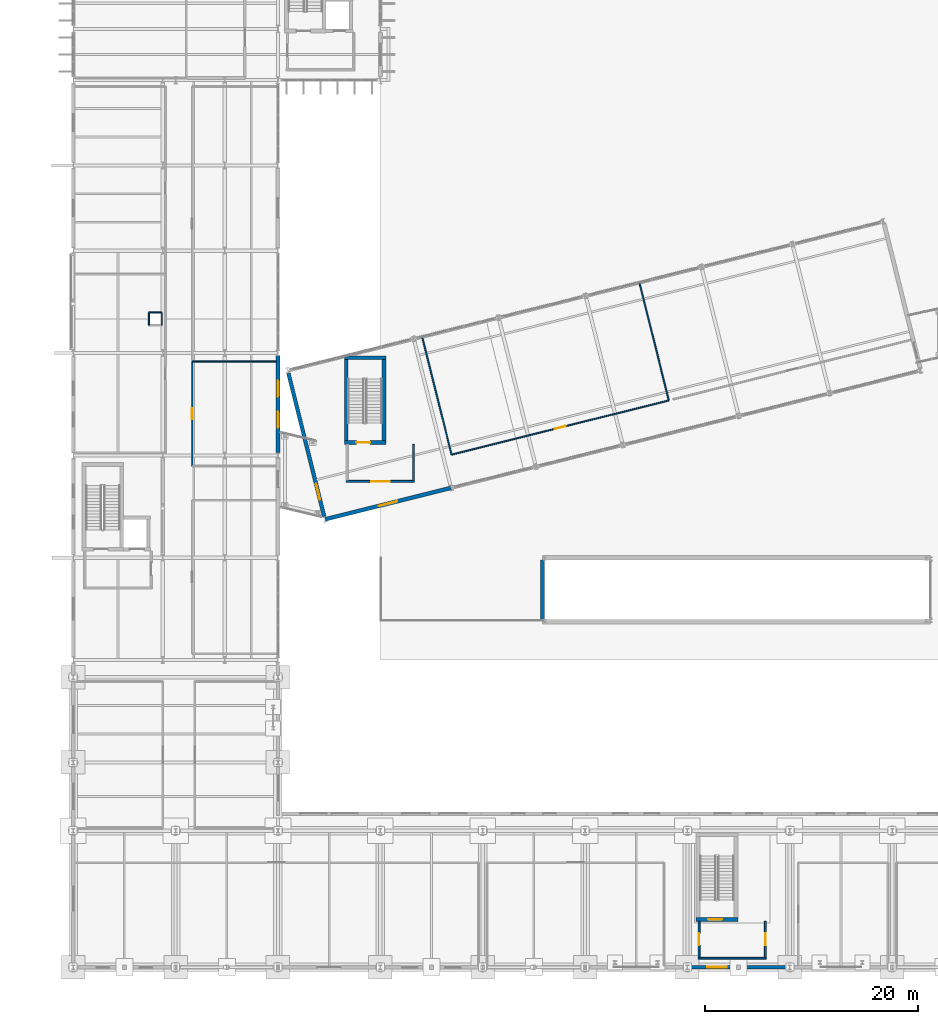
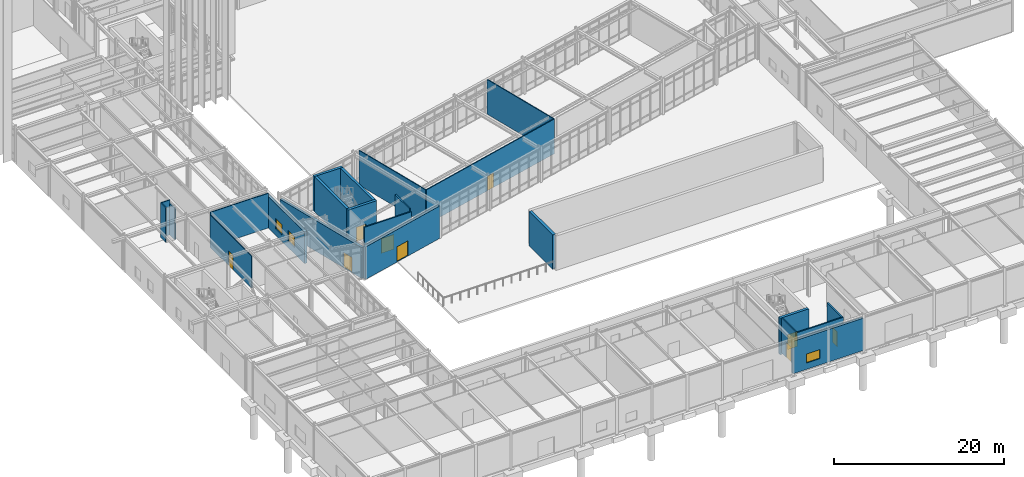
# One storey, part 86 of 109: 23 walls, 9 doors, 3 windows, 12 openings.
"""IFC4 building model written with IfcOpenShell, lengths in metres."""

from ifc_helpers import new_model, si_unit, direction, frame, frame_2d, origin, place, context, subcontext, project, spatial, rectangle, extrude, material, layer, layer_set, type_object, element, fill, save


model = new_model("IFC4")

# Units and contexts
model_context = context("Model", 3, precision=1e-05, world=origin(), true_north=direction((0.0, 1.0)))
body_context = subcontext(model_context, "Body", "Model", "MODEL_VIEW")
ifc_project = project(units=[si_unit("LENGTHUNIT", "METRE"), si_unit("AREAUNIT", "SQUARE_METRE"), si_unit("VOLUMEUNIT", "CUBIC_METRE"), si_unit("PLANEANGLEUNIT", "RADIAN"), si_unit("MASSUNIT", "GRAM", prefix="KILO")], contexts=[model_context])

# Site, building, storey
site_placement = place(None, origin())
site = spatial("IfcSite", under=ifc_project, at=site_placement, CompositionType="ELEMENT")
building_placement = place(site_placement, origin())
building = spatial("IfcBuilding", under=site, at=building_placement, Name="Nordkorset Police Headquarters", CompositionType="ELEMENT")
storey_placement = place(building_placement, origin())
storey = spatial("IfcBuildingStorey", under=building, at=storey_placement, Name="L00", CompositionType="ELEMENT", Elevation=0.0)

# Wall, opening, door
ifc_material_1 = material(Name="Gypsum board", Category="gypsum")
ifc_layer_1 = layer(ifc_material_1, 0.179931640625, Name="Gypsum board")
ifc_layer_set_1 = layer_set([ifc_layer_1], Name="Gypsum board")
wall_type_1 = type_object("IfcWallType", Name="Wall_Comp_180", PredefinedType="PARTITIONING", material=ifc_layer_set_1)
wall_1_placement = place(storey_placement, frame((25.60009765625, 45.56005859375, 0.0), z_axis=(0.0, 0.0, 1.0), x_axis=(1.0, 0.0, 0.0)))
wall_1 = element("IfcWall", 1, at=wall_1_placement, inside=storey, type_object=wall_type_1, Name="Firefighting Lobby EI 60 Wall K7 L00 S", PredefinedType="PARTITIONING", context=body_context, shape_type="SweptSolid", body=[
    extrude(rectangle(XDim=6.39990234375, YDim=0.179931640625, at=frame_2d((3.199951171875, 0.0))), origin(), (0.0, 0.0, 1.0), 4.6201171875),
])
opening_1_placement = place(wall_1_placement, frame((2.324951171875, 0.0, 0.0)))
opening_1 = element("IfcOpeningElement", 2, at=opening_1_placement, cuts=wall_1, Name="Opening DR-17", PredefinedType="OPENING", context=body_context, shape_type="SweptSolid", body=[
    extrude(rectangle(XDim=1.75, YDim=2.14990234375, at=frame_2d((0.875, 1.074951171875))), frame((0.0, 0.10009765625, 0.0), z_axis=(0.0, -1.0, 0.0), x_axis=(1.0, 0.0, 0.0)), (0.0, 0.0, 1.0), 0.199951171875),
])
ifc_material_2 = material(Name="Steel S355J2", Category="steel")
door_type_1 = type_object("IfcDoorType", Name="Door_LobbyDouble_1750x2150", OperationType="DOUBLE_DOOR_SINGLE_SWING", PredefinedType="DOOR", material=ifc_material_2)
door_1_placement = place(opening_1_placement, frame((1.75, 0.0, 0.0), z_axis=(0.0, 0.0, 1.0), x_axis=(-1.0, 0.0, 0.0)))
door_1 = element("IfcDoor", 3, at=door_1_placement, inside=storey, type_object=door_type_1, Name="Firefighting Lobby Smoke Door K7 L00 S", OperationType="DOUBLE_DOOR_SINGLE_SWING", OverallHeight=2.14990234375, OverallWidth=1.75, PredefinedType="DOOR", context=body_context, shape_type="SweptSolid", body=[
    extrude(rectangle(XDim=1.75, YDim=2.14990234375, at=frame_2d((0.875, 1.074951171875))), frame((0.0, 0.02490234375, 0.0), z_axis=(0.0, -1.0, 0.0), x_axis=(1.0, 0.0, 0.0)), (0.0, 0.0, 1.0), 0.050048828125),
])
fill(opening_1, door_1)

# Walls
wall_2_placement = place(storey_placement, frame((31.909912109375, 45.64990234375, 0.0), z_axis=(0.0, 0.0, 1.0), x_axis=(0.0, 1.0, 0.0)))
element("IfcWall", 4, at=wall_2_placement, inside=storey, type_object=wall_type_1, Name="Firefighting Lobby EI 60 Wall K7 L00 E", PredefinedType="PARTITIONING", context=body_context, shape_type="SweptSolid", body=[
    extrude(rectangle(XDim=3.375, YDim=0.179931640625, at=frame_2d((1.6875, 0.0))), origin(), (0.0, 0.0, 1.0), 5.0),
])
wall_3_placement = place(storey_placement, frame((58.60009765625, 0.840087890625, 0.0), z_axis=(0.0, 0.0, 1.0), x_axis=(1.0, 0.0, 0.0)))
element("IfcWall", 5, at=wall_3_placement, inside=storey, type_object=wall_type_1, Name="Firefighting Lobby EI 60 Wall K9 L00 S", PredefinedType="PARTITIONING", context=body_context, shape_type="SweptSolid", body=[
    extrude(rectangle(XDim=6.39990234375, YDim=0.179931640625, at=frame_2d((3.199951171875, 0.0))), origin(), (0.0, 0.0, 1.0), 5.0),
])

# Wall, opening, door
wall_4_placement = place(storey_placement, frame((58.68994140625, 0.929931640625, 0.0), z_axis=(0.0, 0.0, 1.0), x_axis=(0.0, 1.0, 0.0)))
wall_4 = element("IfcWall", 6, at=wall_4_placement, inside=storey, type_object=wall_type_1, Name="Firefighting Lobby EI 60 Wall K9 L00 W", PredefinedType="PARTITIONING", context=body_context, shape_type="SweptSolid", body=[
    extrude(rectangle(XDim=3.375, YDim=0.179931640625, at=frame_2d((1.6875, 0.0))), origin(), (0.0, 0.0, 1.0), 5.0),
])
opening_2_placement = place(wall_4_placement, frame((1.112548828125, 0.0, 0.0)))
opening_2 = element("IfcOpeningElement", 7, at=opening_2_placement, cuts=wall_4, Name="Opening DR-01", PredefinedType="OPENING", context=body_context, shape_type="SweptSolid", body=[
    extrude(rectangle(XDim=1.14990234375, YDim=2.14990234375, at=frame_2d((0.574951171875, 1.074951171875))), frame((0.0, 0.10009765625, 0.0), z_axis=(0.0, -1.0, 0.0), x_axis=(1.0, 0.0, 0.0)), (0.0, 0.0, 1.0), 0.199951171875),
])
ifc_material_3 = material(Name="Steel S355J2", Category="steel")
door_type_2 = type_object("IfcDoorType", Name="Door_LobbySingle_1150x2150", OperationType="NOTDEFINED", PredefinedType="DOOR", material=ifc_material_3)
door_2_placement = place(opening_2_placement, origin())
door_2 = element("IfcDoor", 8, at=door_2_placement, inside=storey, type_object=door_type_2, Name="Firefighting Lobby Smoke Door K9 L00 W", OperationType="SINGLE_SWING_RIGHT", OverallHeight=2.14990234375, OverallWidth=1.14990234375, PredefinedType="DOOR", context=body_context, shape_type="SweptSolid", body=[
    extrude(rectangle(XDim=1.14990234375, YDim=2.14990234375, at=frame_2d((0.574951171875, 1.074951171875))), frame((0.0, 0.02490234375, 0.0), z_axis=(0.0, -1.0, 0.0), x_axis=(1.0, 0.0, 0.0)), (0.0, 0.0, 1.0), 0.050048828125),
])
fill(opening_2, door_2)

wall_5_placement = place(storey_placement, frame((64.909912109375, 0.929931640625, 0.0), z_axis=(0.0, 0.0, 1.0), x_axis=(0.0, 1.0, 0.0)))
wall_5 = element("IfcWall", 9, at=wall_5_placement, inside=storey, type_object=wall_type_1, Name="Firefighting Lobby EI 60 Wall K9 L00 E", PredefinedType="PARTITIONING", context=body_context, shape_type="SweptSolid", body=[
    extrude(rectangle(XDim=3.375, YDim=0.179931640625, at=frame_2d((1.6875, 0.0))), origin(), (0.0, 0.0, 1.0), 5.0),
])
opening_3_placement = place(wall_5_placement, frame((1.112548828125, 0.0, 0.0)))
opening_3 = element("IfcOpeningElement", 10, at=opening_3_placement, cuts=wall_5, Name="Opening DR-01", PredefinedType="OPENING", context=body_context, shape_type="SweptSolid", body=[
    extrude(rectangle(XDim=1.14990234375, YDim=2.14990234375, at=frame_2d((0.574951171875, 1.074951171875))), frame((0.0, 0.10009765625, 0.0), z_axis=(0.0, -1.0, 0.0), x_axis=(1.0, 0.0, 0.0)), (0.0, 0.0, 1.0), 0.199951171875),
])
door_3_placement = place(opening_3_placement, origin())
door_3 = element("IfcDoor", 11, at=door_3_placement, inside=storey, type_object=door_type_2, Name="Firefighting Lobby Smoke Door K9 L00 E", OperationType="SINGLE_SWING_LEFT", OverallHeight=2.14990234375, OverallWidth=1.14990234375, PredefinedType="DOOR", context=body_context, shape_type="SweptSolid", body=[
    extrude(rectangle(XDim=1.14990234375, YDim=2.14990234375, at=frame_2d((0.574951171875, 1.074951171875))), frame((0.0, 0.02490234375, 0.0), z_axis=(0.0, -1.0, 0.0), x_axis=(1.0, 0.0, 0.0)), (0.0, 0.0, 1.0), 0.050048828125),
])
fill(opening_3, door_3)

ifc_material_4 = material(Name="Concrete C35/45", Category="concrete")
ifc_layer_2 = layer(ifc_material_4, 0.35009765625, Name="Concrete C35/45")
ifc_layer_set_2 = layer_set([ifc_layer_2], Name="Concrete C35/45")
wall_type_2 = type_object("IfcWallType", Name="Wall_CoreShear_350", PredefinedType="SHEAR", material=ifc_layer_set_2)
wall_6_placement = place(storey_placement, frame((25.425048828125, 49.199951171875, 0.0), z_axis=(0.0, 0.0, 1.0), x_axis=(1.0, 0.0, 0.0)))
wall_6 = element("IfcWall", 12, at=wall_6_placement, inside=storey, type_object=wall_type_2, Name="Core K7 Stair Shaft South Shear Wall L00", PredefinedType="SHEAR", context=body_context, shape_type="SweptSolid", body=[
    extrude(rectangle(XDim=3.89990234375, YDim=0.35009765625, at=frame_2d((1.949951171875, 0.0))), origin(), (0.0, 0.0, 1.0), 5.0),
])
opening_4_placement = place(wall_6_placement, frame((1.125, 0.0, 0.0)))
opening_4 = element("IfcOpeningElement", 13, at=opening_4_placement, cuts=wall_6, Name="Opening DR-20", PredefinedType="OPENING", context=body_context, shape_type="SweptSolid", body=[
    extrude(rectangle(XDim=1.300048828125, YDim=2.14990234375, at=frame_2d((0.64990234375, 1.074951171875))), frame((0.0, 0.18505859375, 0.0), z_axis=(0.0, -1.0, 0.0), x_axis=(1.0, 0.0, 0.0)), (0.0, 0.0, 1.0), 0.3701171875),
])
ifc_material_5 = material(Name="Steel S355J2", Category="steel")
door_type_3 = type_object("IfcDoorType", Name="Door_Stair_1300x2150", OperationType="NOTDEFINED", PredefinedType="DOOR", material=ifc_material_5)
door_4_placement = place(opening_4_placement, origin())
door_4 = element("IfcDoor", 14, at=door_4_placement, inside=storey, type_object=door_type_3, Name="Protected Stair Fire Door ST-08 L00", OperationType="SINGLE_SWING_RIGHT", OverallHeight=2.14990234375, OverallWidth=1.300048828125, PredefinedType="DOOR", context=body_context, shape_type="SweptSolid", body=[
    extrude(rectangle(XDim=1.300048828125, YDim=2.14990234375, at=frame_2d((0.64990234375, 1.074951171875))), frame((0.0, 0.02490234375, 0.0), z_axis=(0.0, -1.0, 0.0), x_axis=(1.0, 0.0, 0.0)), (0.0, 0.0, 1.0), 0.050048828125),
])
fill(opening_4, door_4)

# Walls
wall_7_placement = place(storey_placement, frame((25.425048828125, 57.14990234375, 0.0), z_axis=(0.0, 0.0, 1.0), x_axis=(1.0, 0.0, 0.0)))
element("IfcWall", 15, at=wall_7_placement, inside=storey, type_object=wall_type_2, Name="Core K7 Stair Shaft North Shear Wall L00", PredefinedType="SHEAR", context=body_context, shape_type="SweptSolid", body=[
    extrude(rectangle(XDim=3.89990234375, YDim=0.35009765625, at=frame_2d((1.949951171875, 0.0))), origin(), (0.0, 0.0, 1.0), 5.0),
])
for number, where, z_axis, x_axis, name in (
    (16, (25.60009765625, 49.375, 0.0), (0.0, 0.0, 1.0), (0.0, 1.0, 0.0), "Core K7 Stair Shaft West Shear Wall L00"),
    (17, (29.14990234375, 49.375, 0.0), (0.0, 0.0, 1.0), (0.0, 1.0, 0.0), "Core K7 Stair Shaft East Shear Wall L00"),
):
    element("IfcWall", number, at=place(storey_placement, frame(where, z_axis=z_axis, x_axis=x_axis)), inside=storey, type_object=wall_type_2, Name=name, PredefinedType="SHEAR", context=body_context, shape_type="SweptSolid", body=[
        extrude(rectangle(XDim=7.60009765625, YDim=0.35009765625, at=frame_2d((3.800048828125, 0.0))), origin(), (0.0, 0.0, 1.0), 5.0),
    ])

# Wall, opening, door
wall_8_placement = place(storey_placement, frame((58.425048828125, 4.47998046875, -0.27001953125), z_axis=(0.0, 0.0, 1.0), x_axis=(1.0, 0.0, 0.0)))
wall_8 = element("IfcWall", 18, at=wall_8_placement, inside=storey, type_object=wall_type_2, Name="Core K9 Stair Shaft South Shear Wall L00", PredefinedType="SHEAR", context=body_context, shape_type="SweptSolid", body=[
    extrude(rectangle(XDim=3.89990234375, YDim=0.35009765625, at=frame_2d((1.949951171875, 0.0))), origin(), (0.0, 0.0, 1.0), 5.27001953125),
])
opening_5_placement = place(wall_8_placement, frame((1.125, 0.0, 0.27001953125)))
opening_5 = element("IfcOpeningElement", 19, at=opening_5_placement, cuts=wall_8, Name="Opening DR-20", PredefinedType="OPENING", context=body_context, shape_type="SweptSolid", body=[
    extrude(rectangle(XDim=1.300048828125, YDim=2.14990234375, at=frame_2d((0.64990234375, 1.074951171875))), frame((0.0, 0.18505859375, 0.0), z_axis=(0.0, -1.0, 0.0), x_axis=(1.0, 0.0, 0.0)), (0.0, 0.0, 1.0), 0.3701171875),
])
door_5_placement = place(opening_5_placement, origin())
door_5 = element("IfcDoor", 20, at=door_5_placement, inside=storey, type_object=door_type_3, Name="Protected Stair Fire Door ST-10 L00", OperationType="SINGLE_SWING_LEFT", OverallHeight=2.14990234375, OverallWidth=1.300048828125, PredefinedType="DOOR", context=body_context, shape_type="SweptSolid", body=[
    extrude(rectangle(XDim=1.300048828125, YDim=2.14990234375, at=frame_2d((0.64990234375, 1.074951171875))), frame((0.0, 0.02490234375, 0.0), z_axis=(0.0, -1.0, 0.0), x_axis=(1.0, 0.0, 0.0)), (0.0, 0.0, 1.0), 0.050048828125),
])
fill(opening_5, door_5)

# Wall, opening, window
ifc_material_6 = material(Name="Precast concrete C40/50", Category="concrete")
ifc_layer_3 = layer(ifc_material_6, 0.320068359375, Name="Precast concrete C40/50")
ifc_layer_set_3 = layer_set([ifc_layer_3], Name="Precast concrete C40/50")
wall_type_3 = type_object("IfcWallType", Name="Wall_ExtPlinth_320", PredefinedType="SOLIDWALL", material=ifc_layer_set_3)
wall_9_placement = place(storey_placement, frame((57.608642578125, 0.0, 0.0), z_axis=(0.0, 0.0, 1.0), x_axis=(1.0, 0.0, 0.0)))
wall_9 = element("IfcWall", 21, at=wall_9_placement, inside=storey, type_object=wall_type_3, Name="Exterior Insulated Precast Wall L00 V7S-6", PredefinedType="SOLIDWALL", context=body_context, shape_type="SweptSolid", body=[
    extrude(rectangle(XDim=9.58251953125, YDim=0.320068359375, at=frame_2d((4.791259765625, 0.0))), origin(), (0.0, 0.0, 1.0), 4.669921875),
])
opening_6_placement = place(wall_9_placement, frame((1.849609375, 0.0, 0.89990234375)))
opening_6 = element("IfcOpeningElement", 22, at=opening_6_placement, cuts=wall_9, Name="Opening WN-20", PredefinedType="OPENING", context=body_context, shape_type="SweptSolid", body=[
    extrude(rectangle(XDim=1.85009765625, YDim=1.300048828125, at=frame_2d((0.925048828125, 0.64990234375))), frame((0.0, 0.169921875, 0.0), z_axis=(0.0, -1.0, 0.0), x_axis=(1.0, 0.0, 0.0)), (0.0, 0.0, 1.0), 0.340087890625),
])
ifc_material_7 = material(Name="Low-iron triple glazing", Category="glass")
window_type_1 = type_object("IfcWindowType", Name="Win_1850x1300", PartitioningType="SINGLE_PANEL", PredefinedType="WINDOW", material=ifc_material_7)
window_1_placement = place(opening_6_placement, origin())
window_1 = element("IfcWindow", 23, at=window_1_placement, inside=storey, type_object=window_type_1, Name="Triple-Glazed Exterior Window L00 V7S-6-1", OverallHeight=1.300048828125, OverallWidth=1.85009765625, PartitioningType="SINGLE_PANEL", PredefinedType="WINDOW", context=body_context, shape_type="SweptSolid", body=[
    extrude(rectangle(XDim=1.85009765625, YDim=1.300048828125, at=frame_2d((0.925048828125, 0.64990234375))), frame((0.0, 0.030029296875, 0.0), z_axis=(0.0, -1.0, 0.0), x_axis=(1.0, 0.0, 0.0)), (0.0, 0.0, 1.0), 0.06005859375),
])
fill(opening_6, window_1)

# Wall, openings, windows
ifc_material_8 = material(Name="Precast concrete C40/50", Category="concrete")
ifc_layer_4 = layer(ifc_material_8, 0.360107421875, Name="Precast concrete C40/50")
ifc_layer_set_4 = layer_set([ifc_layer_4], Name="Precast concrete C40/50")
wall_type_4 = type_object("IfcWallType", Name="Wall_ExtPrecast_360", PredefinedType="SOLIDWALL", material=ifc_layer_set_4)
wall_10_placement = place(storey_placement, frame((19.199951171875, 48.251953125, 0.0), z_axis=(0.0, 0.0, 1.0), x_axis=(0.0, 1.0, 0.0)))
wall_10 = element("IfcWall", 24, at=wall_10_placement, inside=storey, type_object=wall_type_4, Name="Exterior Insulated Precast Wall L00 V3E-2", PredefinedType="SOLIDWALL", context=body_context, shape_type="SweptSolid", body=[
    extrude(rectangle(XDim=9.095947265625, YDim=0.360107421875, at=frame_2d((4.5478515625, 0.0))), origin(), (0.0, 0.0, 1.0), 4.5400390625),
])
opening_7_placement = place(wall_10_placement, frame((2.331298828125, 0.0, 0.89990234375)))
opening_7 = element("IfcOpeningElement", 25, at=opening_7_placement, cuts=wall_10, Name="Opening WN-50", PredefinedType="OPENING", context=body_context, shape_type="SweptSolid", body=[
    extrude(rectangle(XDim=1.5, YDim=1.550048828125, at=frame_2d((0.75, 0.77490234375))), frame((0.0, 0.18994140625, 0.0), z_axis=(0.0, -1.0, 0.0), x_axis=(1.0, 0.0, 0.0)), (0.0, 0.0, 1.0), 0.380126953125),
])
opening_8_placement = place(wall_10_placement, frame((5.2646484375, 0.0, 0.89990234375)))
opening_8 = element("IfcOpeningElement", 26, at=opening_8_placement, cuts=wall_10, Name="Opening WN-50", PredefinedType="OPENING", context=body_context, shape_type="SweptSolid", body=[
    extrude(rectangle(XDim=1.5, YDim=1.550048828125, at=frame_2d((0.75, 0.77490234375))), frame((0.0, 0.18994140625, 0.0), z_axis=(0.0, -1.0, 0.0), x_axis=(1.0, 0.0, 0.0)), (0.0, 0.0, 1.0), 0.380126953125),
])
ifc_material_9 = material(Name="Low-iron triple glazing", Category="glass")
window_type_2 = type_object("IfcWindowType", Name="Win_1500x1550", PartitioningType="SINGLE_PANEL", PredefinedType="WINDOW", material=ifc_material_9)
window_2_placement = place(opening_7_placement, origin())
window_2 = element("IfcWindow", 27, at=window_2_placement, inside=storey, type_object=window_type_2, Name="Triple-Glazed Exterior Window L00 V3E-2-1", OverallHeight=1.550048828125, OverallWidth=1.5, PartitioningType="SINGLE_PANEL", PredefinedType="WINDOW", context=body_context, shape_type="SweptSolid", body=[
    extrude(rectangle(XDim=1.5, YDim=1.550048828125, at=frame_2d((0.75, 0.77490234375))), frame((0.0, 0.030029296875, 0.0), z_axis=(0.0, -1.0, 0.0), x_axis=(1.0, 0.0, 0.0)), (0.0, 0.0, 1.0), 0.06005859375),
])
fill(opening_7, window_2)
window_3_placement = place(opening_8_placement, origin())
window_3 = element("IfcWindow", 28, at=window_3_placement, inside=storey, type_object=window_type_2, Name="Triple-Glazed Exterior Window L00 V3E-2-2", OverallHeight=1.550048828125, OverallWidth=1.5, PartitioningType="SINGLE_PANEL", PredefinedType="WINDOW", context=body_context, shape_type="SweptSolid", body=[
    extrude(rectangle(XDim=1.5, YDim=1.550048828125, at=frame_2d((0.75, 0.77490234375))), frame((0.0, 0.030029296875, 0.0), z_axis=(0.0, -1.0, 0.0), x_axis=(1.0, 0.0, 0.0)), (0.0, 0.0, 1.0), 0.06005859375),
])
fill(opening_8, window_3)

# Wall, opening, door
wall_11_placement = place(storey_placement, frame((23.60888671875, 42.002197265625, 0.0), z_axis=(0.0, 0.0, 1.0), x_axis=(0.970140142249, 0.242545056429, 0.0)))
wall_11 = element("IfcWall", 29, at=wall_11_placement, inside=storey, type_object=wall_type_4, Name="Exterior Insulated Precast Wall L00 V4S-0", PredefinedType="SOLIDWALL", context=body_context, shape_type="SweptSolid", body=[
    extrude(rectangle(XDim=12.181640625, YDim=0.360107421875, at=frame_2d((6.0908203125, 0.0))), origin(), (0.0, 0.0, 1.0), 4.669921875),
])
opening_9_placement = place(wall_11_placement, frame((5.19091796875, 0.0, 0.0)))
opening_9 = element("IfcOpeningElement", 30, at=opening_9_placement, cuts=wall_11, Name="Opening ED-07", PredefinedType="OPENING", context=body_context, shape_type="SweptSolid", body=[
    extrude(rectangle(XDim=1.800048828125, YDim=2.199951171875, at=frame_2d((0.89990234375, 1.10009765625))), frame((0.0, 0.18994140625, 0.0), z_axis=(0.0, -1.0, 0.0), x_axis=(1.0, 0.0, 0.0)), (0.0, 0.0, 1.0), 0.380126953125),
])
ifc_material_10 = material(Name="Steel S355J2", Category="steel")
door_type_4 = type_object("IfcDoorType", Name="ExtDoor_WingExit_1800x2200", OperationType="DOUBLE_DOOR_SINGLE_SWING", PredefinedType="DOOR", material=ifc_material_10)
door_6_placement = place(opening_9_placement, frame((1.800048828125, 0.0, 0.0), z_axis=(0.0, 0.0, 1.0), x_axis=(-1.0, 0.0, 0.0)))
door_6 = element("IfcDoor", 31, at=door_6_placement, inside=storey, type_object=door_type_4, Name="Courtyard Wing Final Exit Door ED-07", OperationType="SINGLE_SWING_LEFT", OverallHeight=2.199951171875, OverallWidth=1.800048828125, PredefinedType="DOOR", context=body_context, shape_type="SweptSolid", body=[
    extrude(rectangle(XDim=1.800048828125, YDim=2.199951171875, at=frame_2d((0.89990234375, 1.10009765625))), frame((0.0, 0.02490234375, 0.0), z_axis=(0.0, -1.0, 0.0), x_axis=(1.0, 0.0, 0.0)), (0.0, 0.0, 1.0), 0.050048828125),
])
fill(opening_9, door_6)

wall_12_placement = place(storey_placement, frame((23.538818359375, 42.244384765625, 0.0), z_axis=(0.0, 0.0, 1.0), x_axis=(-0.242523223331, 0.970145600487, 0.0)))
wall_12 = element("IfcWall", 32, at=wall_12_placement, inside=storey, type_object=wall_type_4, Name="Exterior Insulated Precast Wall L00 V4W-0", PredefinedType="SOLIDWALL", context=body_context, shape_type="SweptSolid", body=[
    extrude(rectangle(XDim=13.89599609375, YDim=0.360107421875, at=frame_2d((6.947998046875, 0.0))), origin(), (0.0, 0.0, 1.0), 4.43994140625),
])
opening_10_placement = place(wall_12_placement, frame((1.66796875, 0.0, 0.0)))
opening_10 = element("IfcOpeningElement", 33, at=opening_10_placement, cuts=wall_12, Name="Opening EXD-03", PredefinedType="OPENING", context=body_context, shape_type="SweptSolid", body=[
    extrude(rectangle(XDim=1.5, YDim=2.199951171875, at=frame_2d((0.75, 1.10009765625))), frame((0.0, 0.18994140625, 0.0), z_axis=(0.0, -1.0, 0.0), x_axis=(1.0, 0.0, 0.0)), (0.0, 0.0, 1.0), 0.380126953125),
])
ifc_material_11 = material(Name="Aluminium alloy AW-6060", Category="aluminium")
door_type_5 = type_object("IfcDoorType", Name="ExtDoor_BridgePortal_1500x2200", OperationType="DOUBLE_DOOR_SINGLE_SWING", PredefinedType="DOOR", material=ifc_material_11)
door_7_placement = place(opening_10_placement, origin())
door_7 = element("IfcDoor", 34, at=door_7_placement, inside=storey, type_object=door_type_5, Name="West Link Bridge Portal Door V4 L00", OperationType="SINGLE_SWING_LEFT", OverallHeight=2.199951171875, OverallWidth=1.5, PredefinedType="DOOR", context=body_context, shape_type="SweptSolid", body=[
    extrude(rectangle(XDim=1.5, YDim=2.199951171875, at=frame_2d((0.75, 1.10009765625))), frame((0.0, 0.02490234375, 0.0), z_axis=(0.0, -1.0, 0.0), x_axis=(1.0, 0.0, 0.0)), (0.0, 0.0, 1.0), 0.050048828125),
])
fill(opening_10, door_7)

# Wall
ifc_material_12 = material(Name="Gypsum board", Category="gypsum")
ifc_layer_5 = layer(ifc_material_12, 0.1201171875, Name="Gypsum board")
ifc_layer_set_5 = layer_set([ifc_layer_5], Name="Gypsum board")
wall_type_5 = type_object("IfcWallType", Name="Wall_Part_120", PredefinedType="PARTITIONING", material=ifc_layer_set_5)
wall_13_placement = place(storey_placement, frame((19.02490234375, 56.800048828125, 0.0), z_axis=(0.0, 0.0, 1.0), x_axis=(-1.0, 0.0, 0.0)))
element("IfcWall", 35, at=wall_13_placement, inside=storey, type_object=wall_type_5, Name="Interior Partition Wall Forensic Field Kit Preparation Room", PredefinedType="PARTITIONING", context=body_context, shape_type="SweptSolid", body=[
    extrude(rectangle(XDim=7.864990234375, YDim=0.1201171875, at=frame_2d((3.9326171875, 0.0))), origin(), (0.0, 0.0, 1.0), 5.0),
])

# Wall, opening, door
wall_14_placement = place(storey_placement, frame((11.159912109375, 56.800048828125, 0.0), z_axis=(0.0, 0.0, 1.0), x_axis=(0.0, -1.0, 0.0)))
wall_14 = element("IfcWall", 36, at=wall_14_placement, inside=storey, type_object=wall_type_5, Name="Interior Partition Wall Forensic Field Kit Preparation Room", PredefinedType="PARTITIONING", context=body_context, shape_type="SweptSolid", body=[
    extrude(rectangle(XDim=9.800048828125, YDim=0.1201171875, at=frame_2d((4.89990234375, 0.0))), origin(), (0.0, 0.0, 1.0), 4.6201171875),
])
opening_11_placement = place(wall_14_placement, frame((4.389892578125, 0.0, 0.0)))
opening_11 = element("IfcOpeningElement", 37, at=opening_11_placement, cuts=wall_14, Name="Opening DR-19", PredefinedType="OPENING", context=body_context, shape_type="SweptSolid", body=[
    extrude(rectangle(XDim=1.02001953125, YDim=2.10009765625, at=frame_2d((0.510009765625, 1.050048828125))), frame((0.0, 0.070068359375, 0.0), z_axis=(0.0, -1.0, 0.0), x_axis=(1.0, 0.0, 0.0)), (0.0, 0.0, 1.0), 0.14013671875),
])
ifc_material_13 = material(Name="Glulam GL30c", Category="wood")
door_type_6 = type_object("IfcDoorType", Name="Door_Office_1020x2100", OperationType="NOTDEFINED", PredefinedType="DOOR", material=ifc_material_13)
door_8_placement = place(opening_11_placement, origin())
door_8 = element("IfcDoor", 38, at=door_8_placement, inside=storey, type_object=door_type_6, Name="Interior Door Forensic Field Kit Preparation Room", OperationType="SINGLE_SWING_LEFT", OverallHeight=2.10009765625, OverallWidth=1.02001953125, PredefinedType="DOOR", context=body_context, shape_type="SweptSolid", body=[
    extrude(rectangle(XDim=1.02001953125, YDim=2.10009765625, at=frame_2d((0.510009765625, 1.050048828125))), frame((0.0, 0.02490234375, 0.0), z_axis=(0.0, -1.0, 0.0), x_axis=(1.0, 0.0, 0.0)), (0.0, 0.0, 1.0), 0.050048828125),
])
fill(opening_11, door_8)

wall_15_placement = place(storey_placement, frame((35.484130859375, 48.0634765625, 0.0), z_axis=(0.0, 0.0, 1.0), x_axis=(0.970142500145, 0.242535625036, 0.0)))
wall_15 = element("IfcWall", 39, at=wall_15_placement, inside=storey, type_object=wall_type_5, Name="Interior Partition Wall Staff Canteen and Dining Hall", PredefinedType="PARTITIONING", context=body_context, shape_type="SweptSolid", body=[
    extrude(rectangle(XDim=21.0, YDim=0.1201171875, at=frame_2d((10.5, 0.0))), origin(), (0.0, 0.0, 1.0), 5.0),
])
opening_12_placement = place(wall_15_placement, frame((9.989990234375, 0.0, 0.0)))
opening_12 = element("IfcOpeningElement", 40, at=opening_12_placement, cuts=wall_15, Name="Opening DR-19", PredefinedType="OPENING", context=body_context, shape_type="SweptSolid", body=[
    extrude(rectangle(XDim=1.02001953125, YDim=2.10009765625, at=frame_2d((0.510009765625, 1.050048828125))), frame((0.0, 0.070068359375, 0.0), z_axis=(0.0, -1.0, 0.0), x_axis=(1.0, 0.0, 0.0)), (0.0, 0.0, 1.0), 0.14013671875),
])
door_9_placement = place(opening_12_placement, origin())
door_9 = element("IfcDoor", 41, at=door_9_placement, inside=storey, type_object=door_type_6, Name="Interior Door Staff Canteen and Dining Hall", OperationType="SINGLE_SWING_LEFT", OverallHeight=2.10009765625, OverallWidth=1.02001953125, PredefinedType="DOOR", context=body_context, shape_type="SweptSolid", body=[
    extrude(rectangle(XDim=1.02001953125, YDim=2.10009765625, at=frame_2d((0.510009765625, 1.050048828125))), frame((0.0, 0.02490234375, 0.0), z_axis=(0.0, -1.0, 0.0), x_axis=(1.0, 0.0, 0.0)), (0.0, 0.0, 1.0), 0.050048828125),
])
fill(opening_12, door_9)

# Walls
for number, where, z_axis, x_axis, name in (
    (42, (55.857177734375, 53.15673828125, 0.0), (0.0, 0.0, 1.0), (-0.242525471141, 0.970145038563, 0.0), "Interior Partition Wall Staff Canteen and Dining Hall"),
    (43, (32.739990234375, 59.04052734375, 0.0), (0.0, 0.0, 1.0), (0.242525471141, -0.970145038563, 0.0), "Interior Partition Wall Staff Canteen and Dining Hall"),
):
    element("IfcWall", number, at=place(storey_placement, frame(where, z_axis=z_axis, x_axis=x_axis)), inside=storey, type_object=wall_type_5, Name=name, PredefinedType="PARTITIONING", context=body_context, shape_type="SweptSolid", body=[
        extrude(rectangle(XDim=11.31494140625, YDim=0.1201171875, at=frame_2d((5.657470703125, 0.0))), origin(), (0.0, 0.0, 1.0), 5.0),
    ])
ifc_material_14 = material(Name="Concrete C40/50", Category="concrete")
ifc_layer_6 = layer(ifc_material_14, 0.39990234375, Name="Concrete C40/50")
ifc_layer_set_6 = layer_set([ifc_layer_6], Name="Concrete C40/50")
wall_type_6 = type_object("IfcWallType", Name="Wall_Retaining_400", PredefinedType="USERDEFINED", material=ifc_layer_set_6)
wall_16_placement = place(storey_placement, frame((44.0, 32.60009765625, 0.0), z_axis=(0.0, 0.0, 1.0), x_axis=(0.0, 1.0, 0.0)))
element("IfcWall", 44, at=wall_16_placement, inside=storey, type_object=wall_type_6, Name="Vehicle Ramp Portal Hood West Wall", ObjectType="RETAINING WALL", PredefinedType="USERDEFINED", context=body_context, shape_type="SweptSolid", body=[
    extrude(rectangle(XDim=5.599853515625, YDim=0.39990234375, at=frame_2d((2.7998046875, 0.0))), origin(), (0.0, 0.0, 1.0), 4.949951171875),
])
ifc_material_15 = material(Name="Gypsum board", Category="gypsum")
ifc_layer_7 = layer(ifc_material_15, 0.125, Name="Gypsum board")
ifc_layer_set_7 = layer_set([ifc_layer_7], Name="Gypsum board")
wall_type_7 = type_object("IfcWallType", Name="Wall_Riser_125", PredefinedType="PARTITIONING", material=ifc_layer_set_7)
wall_17_placement = place(storey_placement, frame((8.300048828125, 60.199951171875, 0.0), z_axis=(0.0, 0.0, 1.0), x_axis=(0.0, 1.0, 0.0)))
element("IfcWall", 45, at=wall_17_placement, inside=storey, type_object=wall_type_7, Name="Service Riser Enclosure RSR-V3 L00", PredefinedType="PARTITIONING", context=body_context, shape_type="SweptSolid", body=[
    extrude(rectangle(XDim=1.199951171875, YDim=0.125, at=frame_2d((0.60009765625, 0.0))), origin(), (0.0, 0.0, 1.0), 4.5400390625),
])
for number, where, z_axis, x_axis, name in (
    (46, (8.300048828125, 61.39990234375, 0.0), (0.0, 0.0, 1.0), (-1.0, 0.0, 0.0), "Service Riser Enclosure RSR-V3 L00"),
    (47, (7.10009765625, 61.39990234375, 0.0), (0.0, 0.0, 1.0), (0.0, -1.0, 0.0), "Service Riser Enclosure RSR-V3 L00"),
):
    element("IfcWall", number, at=place(storey_placement, frame(where, z_axis=z_axis, x_axis=x_axis)), inside=storey, type_object=wall_type_7, Name=name, PredefinedType="PARTITIONING", context=body_context, shape_type="SweptSolid", body=[
        extrude(rectangle(XDim=1.199951171875, YDim=0.125, at=frame_2d((0.60009765625, 0.0))), origin(), (0.0, 0.0, 1.0), 5.0),
    ])

save(model, "model.ifc")
